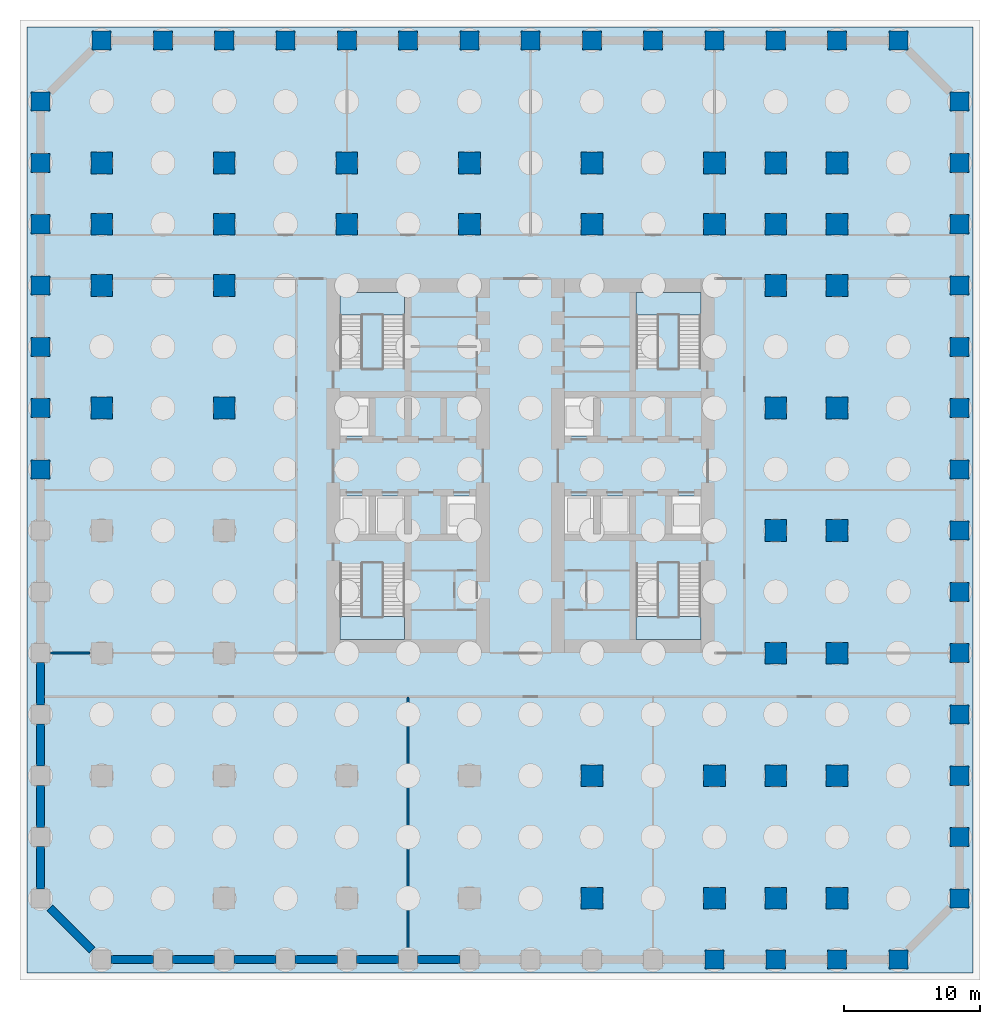
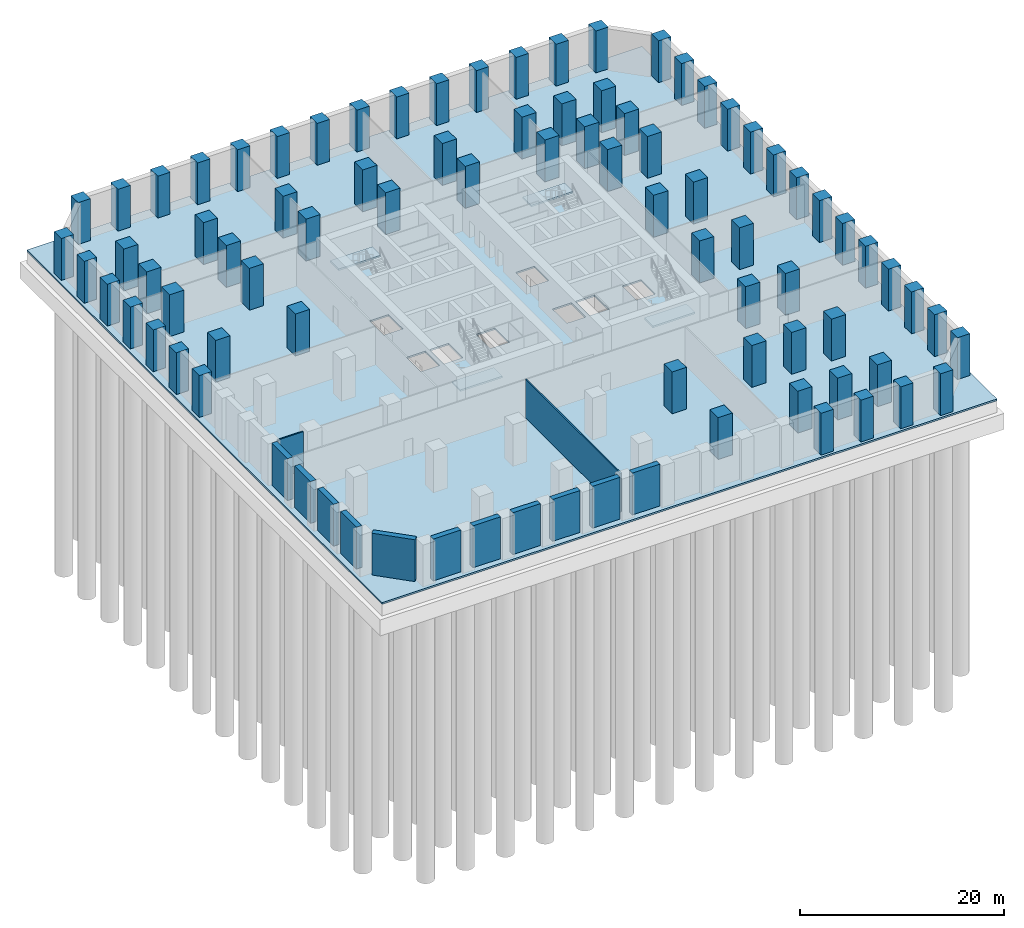
# One storey, part 2 of 9: 75 columns, 13 walls, 5 slabs, 4 elements without a shape of their own.
"""IFC4 building model written with IfcOpenShell, lengths in metres."""

from ifc_helpers import new_model, si_unit, direction, frame, frame_2d, origin, origin_2d, place, context, subcontext, project, spatial, polyline, rectangle, outline, extrude, material, layer, layer_set, material_profile, profile_set, type_object, element, aggregate, save


model = new_model("IFC4")

# Units and contexts
model_context = context("Model", 3, precision=1e-05, world=origin(), true_north=direction((0.0, 1.0)))
body_context = subcontext(model_context, "Body", "Model", "MODEL_VIEW")
ifc_project = project(units=[si_unit("LENGTHUNIT", "METRE"), si_unit("AREAUNIT", "SQUARE_METRE"), si_unit("VOLUMEUNIT", "CUBIC_METRE"), si_unit("PLANEANGLEUNIT", "RADIAN"), si_unit("MASSUNIT", "GRAM", prefix="KILO")], contexts=[model_context])

# Site, building, storey
site_placement = place(None, origin())
site = spatial("IfcSite", under=ifc_project, at=site_placement, CompositionType="ELEMENT")
building_placement = place(site_placement, origin())
building = spatial("IfcBuilding", under=site, at=building_placement, Name="Corbel Stack Research Tower", CompositionType="ELEMENT")
storey_placement = place(building_placement, frame((0.0, 0.0, -10.0)))
storey = spatial("IfcBuildingStorey", under=building, at=storey_placement, Name="B2", CompositionType="ELEMENT", Elevation=-10.0)

# Columns
ifc_material_1 = material(Name="Concrete C70/85", Category="concrete")
ifc_material_profile_1 = material_profile(ifc_material_1, rectangle(XDim=1.39990234375, YDim=1.39990234375, at=origin_2d()), Name="RC 1400 x 1400")
ifc_profile_set_1 = profile_set([ifc_material_profile_1], Name="Concrete C70/85")
column_type_1 = type_object("IfcColumnType", Name="C-1400-70", PredefinedType="COLUMN", material=ifc_profile_set_1)
for number, where, z_axis, x_axis, name in (
    (1, (-31.5, 4.5, 0.0), (0.0, 0.0, 1.0), (1.0, 0.0, 0.0), "Column 1/J B2"),
    (2, (-31.5, 9.0, 0.0), (0.0, 0.0, 1.0), (1.0, 0.0, 0.0), "Column 1/K B2"),
    (3, (-31.5, 13.5, 0.0), (0.0, 0.0, 1.0), (1.0, 0.0, 0.0), "Column 1/L B2"),
    (4, (-31.5, 18.0, 0.0), (0.0, 0.0, 1.0), (1.0, 0.0, 0.0), "Column 1/M B2"),
    (5, (-31.5, 22.5, 0.0), (0.0, 0.0, 1.0), (1.0, 0.0, 0.0), "Column 1/N B2"),
    (6, (-31.5, 27.0, 0.0), (0.0, 0.0, 1.0), (1.0, 0.0, 0.0), "Column 1/P B2"),
    (7, (-31.5, 31.5, 0.0), (0.0, 0.0, 1.0), (1.0, 0.0, 0.0), "Column 1/Q B2"),
    (8, (-27.0, 36.0, 0.0), (0.0, 0.0, 1.0), (1.0, 0.0, 0.0), "Column 2/R B2"),
    (9, (-22.5, 36.0, 0.0), (0.0, 0.0, 1.0), (1.0, 0.0, 0.0), "Column 3/R B2"),
    (10, (-18.0, 36.0, 0.0), (0.0, 0.0, 1.0), (1.0, 0.0, 0.0), "Column 4/R B2"),
    (11, (-13.5, 36.0, 0.0), (0.0, 0.0, 1.0), (1.0, 0.0, 0.0), "Column 5/R B2"),
    (12, (-9.0, 36.0, 0.0), (0.0, 0.0, 1.0), (1.0, 0.0, 0.0), "Column 6/R B2"),
    (13, (-4.5, 36.0, 0.0), (0.0, 0.0, 1.0), (1.0, 0.0, 0.0), "Column 7/R B2"),
    (14, (0.0, 36.0, 0.0), (0.0, 0.0, 1.0), (1.0, 0.0, 0.0), "Column 8/R B2"),
    (15, (4.5, 36.0, 0.0), (0.0, 0.0, 1.0), (1.0, 0.0, 0.0), "Column 9/R B2"),
    (16, (9.0, 36.0, 0.0), (0.0, 0.0, 1.0), (1.0, 0.0, 0.0), "Column 10/R B2"),
    (17, (13.5, 36.0, 0.0), (0.0, 0.0, 1.0), (1.0, 0.0, 0.0), "Column 11/R B2"),
    (18, (18.0, -31.5, 0.0), (0.0, 0.0, 1.0), (1.0, 0.0, 0.0), "Column 12/A B2"),
    (19, (18.0, 36.0, 0.0), (0.0, 0.0, 1.0), (1.0, 0.0, 0.0), "Column 12/R B2"),
    (20, (22.5, -31.5, 0.0), (0.0, 0.0, 1.0), (1.0, 0.0, 0.0), "Column 13/A B2"),
    (21, (22.5, 36.0, 0.0), (0.0, 0.0, 1.0), (1.0, 0.0, 0.0), "Column 13/R B2"),
    (22, (27.0, -31.5, 0.0), (0.0, 0.0, 1.0), (1.0, 0.0, 0.0), "Column 14/A B2"),
    (23, (27.0, 36.0, 0.0), (0.0, 0.0, 1.0), (1.0, 0.0, 0.0), "Column 14/R B2"),
    (24, (31.5, -31.5, 0.0), (0.0, 0.0, 1.0), (1.0, 0.0, 0.0), "Column 15/A B2"),
    (25, (31.5, 36.0, 0.0), (0.0, 0.0, 1.0), (1.0, 0.0, 0.0), "Column 15/R B2"),
    (26, (36.0, -27.0, 0.0), (0.0, 0.0, 1.0), (1.0, 0.0, 0.0), "Column 16/B B2"),
    (27, (36.0, -22.5, 0.0), (0.0, 0.0, 1.0), (1.0, 0.0, 0.0), "Column 16/C B2"),
    (28, (36.0, -18.0, 0.0), (0.0, 0.0, 1.0), (1.0, 0.0, 0.0), "Column 16/D B2"),
    (29, (36.0, -13.5, 0.0), (0.0, 0.0, 1.0), (1.0, 0.0, 0.0), "Column 16/E B2"),
    (30, (36.0, -9.0, 0.0), (0.0, 0.0, 1.0), (1.0, 0.0, 0.0), "Column 16/F B2"),
    (31, (36.0, -4.5, 0.0), (0.0, 0.0, 1.0), (1.0, 0.0, 0.0), "Column 16/G B2"),
    (32, (36.0, 0.0, 0.0), (0.0, 0.0, 1.0), (1.0, 0.0, 0.0), "Column 16/H B2"),
    (33, (36.0, 4.5, 0.0), (0.0, 0.0, 1.0), (1.0, 0.0, 0.0), "Column 16/J B2"),
    (34, (36.0, 9.0, 0.0), (0.0, 0.0, 1.0), (1.0, 0.0, 0.0), "Column 16/K B2"),
    (35, (36.0, 13.5, 0.0), (0.0, 0.0, 1.0), (1.0, 0.0, 0.0), "Column 16/L B2"),
    (36, (36.0, 18.0, 0.0), (0.0, 0.0, 1.0), (1.0, 0.0, 0.0), "Column 16/M B2"),
    (37, (36.0, 22.5, 0.0), (0.0, 0.0, 1.0), (1.0, 0.0, 0.0), "Column 16/N B2"),
    (38, (36.0, 27.0, 0.0), (0.0, 0.0, 1.0), (1.0, 0.0, 0.0), "Column 16/P B2"),
    (39, (36.0, 31.5, 0.0), (0.0, 0.0, 1.0), (1.0, 0.0, 0.0), "Column 16/Q B2"),
):
    element("IfcColumn", number, at=place(storey_placement, frame(where, z_axis=z_axis, x_axis=x_axis)), inside=storey, type_object=column_type_1, Name=name, PredefinedType="COLUMN", context=body_context, shape_type="SweptSolid", body=[
        extrude(rectangle(XDim=1.39990234375, YDim=1.39990234375, at=origin_2d()), origin(), (0.0, 0.0, 1.0), 5.0),
    ])
ifc_material_2 = material(Name="Concrete C70/85", Category="concrete")
ifc_material_profile_2 = material_profile(ifc_material_2, rectangle(XDim=1.60009765625, YDim=1.60009765625, at=origin_2d()), Name="RC 1600 x 1600")
ifc_profile_set_2 = profile_set([ifc_material_profile_2], Name="Concrete C70/85")
column_type_2 = type_object("IfcColumnType", Name="C-1600-70", PredefinedType="COLUMN", material=ifc_profile_set_2)
for number, where, z_axis, x_axis, name in (
    (40, (-27.0, 9.0, 0.0), (0.0, 0.0, 1.0), (1.0, 0.0, 0.0), "Column 2/K B2"),
    (41, (-27.0, 18.0, 0.0), (0.0, 0.0, 1.0), (1.0, 0.0, 0.0), "Column 2/M B2"),
    (42, (-27.0, 22.5, 0.0), (0.0, 0.0, 1.0), (1.0, 0.0, 0.0), "Column 2/N B2"),
    (43, (-27.0, 27.0, 0.0), (0.0, 0.0, 1.0), (1.0, 0.0, 0.0), "Column 2/P B2"),
    (44, (-18.0, 9.0, 0.0), (0.0, 0.0, 1.0), (1.0, 0.0, 0.0), "Column 4/K B2"),
    (45, (-18.0, 18.0, 0.0), (0.0, 0.0, 1.0), (1.0, 0.0, 0.0), "Column 4/M B2"),
    (46, (-18.0, 22.5, 0.0), (0.0, 0.0, 1.0), (1.0, 0.0, 0.0), "Column 4/N B2"),
    (47, (-18.0, 27.0, 0.0), (0.0, 0.0, 1.0), (1.0, 0.0, 0.0), "Column 4/P B2"),
    (48, (-9.0, 22.5, 0.0), (0.0, 0.0, 1.0), (1.0, 0.0, 0.0), "Column 6/N B2"),
    (49, (-9.0, 27.0, 0.0), (0.0, 0.0, 1.0), (1.0, 0.0, 0.0), "Column 6/P B2"),
    (50, (0.0, 22.5, 0.0), (0.0, 0.0, 1.0), (1.0, 0.0, 0.0), "Column 8/N B2"),
    (51, (0.0, 27.0, 0.0), (0.0, 0.0, 1.0), (1.0, 0.0, 0.0), "Column 8/P B2"),
    (52, (9.0, -27.0, 0.0), (0.0, 0.0, 1.0), (1.0, 0.0, 0.0), "Column 10/B B2"),
    (53, (9.0, -18.0, 0.0), (0.0, 0.0, 1.0), (1.0, 0.0, 0.0), "Column 10/D B2"),
    (54, (9.0, 22.5, 0.0), (0.0, 0.0, 1.0), (1.0, 0.0, 0.0), "Column 10/N B2"),
    (55, (9.0, 27.0, 0.0), (0.0, 0.0, 1.0), (1.0, 0.0, 0.0), "Column 10/P B2"),
    (56, (18.0, -27.0, 0.0), (0.0, 0.0, 1.0), (1.0, 0.0, 0.0), "Column 12/B B2"),
    (57, (18.0, -18.0, 0.0), (0.0, 0.0, 1.0), (1.0, 0.0, 0.0), "Column 12/D B2"),
    (58, (18.0, 22.5, 0.0), (0.0, 0.0, 1.0), (1.0, 0.0, 0.0), "Column 12/N B2"),
    (59, (18.0, 27.0, 0.0), (0.0, 0.0, 1.0), (1.0, 0.0, 0.0), "Column 12/P B2"),
    (60, (22.5, -27.0, 0.0), (0.0, 0.0, 1.0), (1.0, 0.0, 0.0), "Column 13/B B2"),
    (61, (22.5, -18.0, 0.0), (0.0, 0.0, 1.0), (1.0, 0.0, 0.0), "Column 13/D B2"),
    (62, (22.5, -9.0, 0.0), (0.0, 0.0, 1.0), (1.0, 0.0, 0.0), "Column 13/F B2"),
    (63, (22.5, 0.0, 0.0), (0.0, 0.0, 1.0), (1.0, 0.0, 0.0), "Column 13/H B2"),
    (64, (22.5, 9.0, 0.0), (0.0, 0.0, 1.0), (1.0, 0.0, 0.0), "Column 13/K B2"),
    (65, (22.5, 18.0, 0.0), (0.0, 0.0, 1.0), (1.0, 0.0, 0.0), "Column 13/M B2"),
    (66, (22.5, 22.5, 0.0), (0.0, 0.0, 1.0), (1.0, 0.0, 0.0), "Column 13/N B2"),
    (67, (22.5, 27.0, 0.0), (0.0, 0.0, 1.0), (1.0, 0.0, 0.0), "Column 13/P B2"),
    (68, (27.0, -27.0, 0.0), (0.0, 0.0, 1.0), (1.0, 0.0, 0.0), "Column 14/B B2"),
    (69, (27.0, -18.0, 0.0), (0.0, 0.0, 1.0), (1.0, 0.0, 0.0), "Column 14/D B2"),
    (70, (27.0, -9.0, 0.0), (0.0, 0.0, 1.0), (1.0, 0.0, 0.0), "Column 14/F B2"),
    (71, (27.0, 0.0, 0.0), (0.0, 0.0, 1.0), (1.0, 0.0, 0.0), "Column 14/H B2"),
    (72, (27.0, 9.0, 0.0), (0.0, 0.0, 1.0), (1.0, 0.0, 0.0), "Column 14/K B2"),
    (73, (27.0, 18.0, 0.0), (0.0, 0.0, 1.0), (1.0, 0.0, 0.0), "Column 14/M B2"),
    (74, (27.0, 22.5, 0.0), (0.0, 0.0, 1.0), (1.0, 0.0, 0.0), "Column 14/N B2"),
    (75, (27.0, 27.0, 0.0), (0.0, 0.0, 1.0), (1.0, 0.0, 0.0), "Column 14/P B2"),
):
    element("IfcColumn", number, at=place(storey_placement, frame(where, z_axis=z_axis, x_axis=x_axis)), inside=storey, type_object=column_type_2, Name=name, PredefinedType="COLUMN", context=body_context, shape_type="SweptSolid", body=[
        extrude(rectangle(XDim=1.60009765625, YDim=1.60009765625, at=origin_2d()), origin(), (0.0, 0.0, 1.0), 5.0),
    ])

# Slab
ifc_material_3 = material(Name="Concrete C45/55", Category="concrete")
ifc_layer_1 = layer(ifc_material_3, 0.199951171875)
ifc_layer_set_1 = layer_set([ifc_layer_1], Name="Concrete C45/55")
slab_type_1 = type_object("IfcSlabType", Name="BS-200", PredefinedType="BASESLAB", material=ifc_layer_set_1)
slab_1_placement = place(storey_placement, frame((0.0, 0.0, -0.199951171875)))
element("IfcSlab", 76, at=slab_1_placement, inside=storey, type_object=slab_type_1, Name="Ground floor slab B2", PredefinedType="BASESLAB", context=body_context, shape_type="SweptSolid", body=[
    extrude(outline(polyline([(37.0, -32.5), (37.0, 37.0), (-32.5, 37.0), (-32.5, -32.5), (37.0, -32.5)]), holes=[polyline([(14.875, 2.550048828125), (17.0, 2.550048828125), (17.0, -0.25), (14.875, -0.25), (14.875, 2.550048828125)]), polyline([(9.625, 2.550048828125), (11.75, 2.550048828125), (11.75, -0.25), (9.625, -0.25), (9.625, 2.550048828125)]), polyline([(9.125, 2.550048828125), (9.125, -0.25), (7.0, -0.25), (7.0, 2.550048828125), (9.125, 2.550048828125)]), polyline([(7.0, 6.949951171875), (7.0, 9.75), (9.125, 9.75), (9.125, 6.949951171875), (7.0, 6.949951171875)]), polyline([(-1.625, 2.550048828125), (0.5, 2.550048828125), (0.5, -0.25), (-1.625, -0.25), (-1.625, 2.550048828125)]), polyline([(-6.875, 2.550048828125), (-4.75, 2.550048828125), (-4.75, -0.25), (-6.875, -0.25), (-6.875, 2.550048828125)]), polyline([(-7.375, 2.550048828125), (-7.375, -0.25), (-9.5, -0.25), (-9.5, 2.550048828125), (-7.375, 2.550048828125)]), polyline([(-9.5, 6.949951171875), (-9.5, 9.75), (-7.375, 9.75), (-7.375, 6.949951171875), (-9.5, 6.949951171875)])]), origin(), (0.0, 0.0, 1.0), 0.199951171875),
])

# Stair, slab
ifc_material_4 = material(Name="Concrete C40/50", Category="concrete")
stair_type = type_object("IfcStairType", Name="Exit stair 30 risers", PredefinedType="HALF_TURN_STAIR", material=ifc_material_4)
stair_1_placement = place(storey_placement, origin())
stair_1 = element("IfcStair", 77, at=stair_1_placement, inside=storey, type_object=stair_type, Name="B2 Exit stair ST-W1", PredefinedType="HALF_TURN_STAIR")
ifc_material_5 = material(Name="Concrete C40/50", Category="concrete")
ifc_layer_2 = layer(ifc_material_5, 0.199951171875)
ifc_layer_set_2 = layer_set([ifc_layer_2], Name="Concrete C40/50")
slab_type_2 = type_object("IfcSlabType", Name="Stair landing 200 C40/50", PredefinedType="LANDING", material=ifc_layer_set_2)
slab_2_placement = place(storey_placement, frame((0.0, 0.0, 2.300048828125)))
slab_2 = element("IfcSlab", 78, at=slab_2_placement, type_object=slab_type_2, Name="ST-W1 landing 1", PredefinedType="LANDING", context=body_context, shape_type="SweptSolid", body=[
    extrude(outline(polyline([(-9.5, -6.320068359375), (-9.5, -8.0), (-4.75, -8.0), (-4.75, -6.320068359375), (-9.5, -6.320068359375)])), origin(), (0.0, 0.0, 1.0), 0.199951171875),
])
aggregate(stair_1, [slab_2])

stair_2_placement = place(storey_placement, origin())
stair_2 = element("IfcStair", 79, at=stair_2_placement, inside=storey, type_object=stair_type, Name="B2 Exit stair ST-W2", PredefinedType="HALF_TURN_STAIR")
slab_3_placement = place(storey_placement, frame((0.0, 0.0, 2.300048828125)))
slab_3 = element("IfcSlab", 80, at=slab_3_placement, type_object=slab_type_2, Name="ST-W2 landing 1", PredefinedType="LANDING", context=body_context, shape_type="SweptSolid", body=[
    extrude(outline(polyline([(-4.75, 15.820068359375), (-4.75, 17.5), (-9.5, 17.5), (-9.5, 15.820068359375), (-4.75, 15.820068359375)])), origin(), (0.0, 0.0, 1.0), 0.199951171875),
])
aggregate(stair_2, [slab_3])

stair_3_placement = place(storey_placement, origin())
stair_3 = element("IfcStair", 81, at=stair_3_placement, inside=storey, type_object=stair_type, Name="B2 Exit stair ST-E1", PredefinedType="HALF_TURN_STAIR")
slab_4_placement = place(storey_placement, frame((0.0, 0.0, 2.300048828125)))
slab_4 = element("IfcSlab", 82, at=slab_4_placement, type_object=slab_type_2, Name="ST-E1 landing 1", PredefinedType="LANDING", context=body_context, shape_type="SweptSolid", body=[
    extrude(outline(polyline([(12.25, -6.320068359375), (12.25, -8.0), (17.0, -8.0), (17.0, -6.320068359375), (12.25, -6.320068359375)])), origin(), (0.0, 0.0, 1.0), 0.199951171875),
])
aggregate(stair_3, [slab_4])

stair_4_placement = place(storey_placement, origin())
stair_4 = element("IfcStair", 83, at=stair_4_placement, inside=storey, type_object=stair_type, Name="B2 Exit stair ST-E2", PredefinedType="HALF_TURN_STAIR")
slab_5_placement = place(storey_placement, frame((0.0, 0.0, 2.300048828125)))
slab_5 = element("IfcSlab", 84, at=slab_5_placement, type_object=slab_type_2, Name="ST-E2 landing 1", PredefinedType="LANDING", context=body_context, shape_type="SweptSolid", body=[
    extrude(outline(polyline([(17.0, 15.820068359375), (17.0, 17.5), (12.25, 17.5), (12.25, 15.820068359375), (17.0, 15.820068359375)])), origin(), (0.0, 0.0, 1.0), 0.199951171875),
])
aggregate(stair_4, [slab_5])

# Walls
ifc_material_6 = material(Name="Concrete C45/55", Category="concrete")
ifc_layer_3 = layer(ifc_material_6, 0.60009765625)
ifc_layer_set_3 = layer_set([ifc_layer_3], Name="Concrete C45/55")
wall_type_1 = type_object("IfcWallType", Name="BW-600", PredefinedType="SOLIDWALL", material=ifc_layer_set_3)
for number, where, z_axis, x_axis, name in (
    (85, (-26.300048828125, -31.5, 0.0), (0.0, 0.0, 1.0), (1.0, 0.0, 0.0), "Basement wall B2"),
    (86, (-21.800048828125, -31.5, 0.0), (0.0, 0.0, 1.0), (1.0, 0.0, 0.0), "Basement wall B2"),
    (87, (-17.300048828125, -31.5, 0.0), (0.0, 0.0, 1.0), (1.0, 0.0, 0.0), "Basement wall B2"),
    (88, (-12.800048828125, -31.5, 0.0), (0.0, 0.0, 1.0), (1.0, 0.0, 0.0), "Basement wall B2"),
    (89, (-8.300048828125, -31.5, 0.0), (0.0, 0.0, 1.0), (1.0, 0.0, 0.0), "Basement wall B2"),
    (90, (-3.800048828125, -31.5, 0.0), (0.0, 0.0, 1.0), (1.0, 0.0, 0.0), "Basement wall B2"),
    (91, (-31.5, -9.699951171875, 0.0), (0.0, 0.0, 1.0), (0.0, -1.0, 0.0), "Basement wall B2"),
    (92, (-31.5, -14.199951171875, 0.0), (0.0, 0.0, 1.0), (0.0, -1.0, 0.0), "Basement wall B2"),
    (93, (-31.5, -18.699951171875, 0.0), (0.0, 0.0, 1.0), (0.0, -1.0, 0.0), "Basement wall B2"),
    (94, (-31.5, -23.199951171875, 0.0), (0.0, 0.0, 1.0), (0.0, -1.0, 0.0), "Basement wall B2"),
):
    element("IfcWall", number, at=place(storey_placement, frame(where, z_axis=z_axis, x_axis=x_axis)), inside=storey, type_object=wall_type_1, Name=name, PredefinedType="SOLIDWALL", context=body_context, shape_type="SweptSolid", body=[
        extrude(rectangle(XDim=3.10009765625, YDim=0.60009765625, at=frame_2d((1.550048828125, 0.0))), origin(), (0.0, 0.0, 1.0), 5.0),
    ])
wall_1_placement = place(storey_placement, frame((-30.800048828125, -27.699951171875, 0.0), z_axis=(0.0, 0.0, 1.0), x_axis=(0.707106781187, -0.707106781187, 0.0)))
element("IfcWall", 95, at=wall_1_placement, inside=storey, type_object=wall_type_1, Name="Basement wall B2", PredefinedType="SOLIDWALL", context=body_context, shape_type="SweptSolid", body=[
    extrude(rectangle(XDim=4.38427734375, YDim=0.60009765625, at=frame_2d((2.192138671875, 0.0))), origin(), (0.0, 0.0, 1.0), 5.0),
])
ifc_material_7 = material(Name="Concrete block", Category="concrete")
ifc_layer_4 = layer(ifc_material_7, 0.14990234375)
ifc_layer_set_4 = layer_set([ifc_layer_4], Name="Concrete block")
wall_type_2 = type_object("IfcWallType", Name="Base partition 150 B2", PredefinedType="PARTITIONING", material=ifc_layer_set_4)
wall_2_placement = place(storey_placement, frame((-30.75, -9.0, 0.0), z_axis=(0.0, 0.0, 1.0), x_axis=(1.0, 0.0, 0.0)))
element("IfcWall", 96, at=wall_2_placement, inside=storey, type_object=wall_type_2, Name="Partition B2", PredefinedType="PARTITIONING", context=body_context, shape_type="SweptSolid", body=[
    extrude(rectangle(XDim=2.89990234375, YDim=0.14990234375, at=frame_2d((1.449951171875, 0.0))), origin(), (0.0, 0.0, 1.0), 4.60009765625),
])
wall_3_placement = place(storey_placement, frame((-4.5, -30.75, 0.0), z_axis=(0.0, 0.0, 1.0), x_axis=(0.0, 1.0, 0.0)))
element("IfcWall", 97, at=wall_3_placement, inside=storey, type_object=wall_type_2, Name="Partition B2", PredefinedType="PARTITIONING", context=body_context, shape_type="SweptSolid", body=[
    extrude(rectangle(XDim=18.550048828125, YDim=0.14990234375, at=frame_2d((9.27490234375, 0.0))), origin(), (0.0, 0.0, 1.0), 4.60009765625),
])

save(model, "model.ifc")
